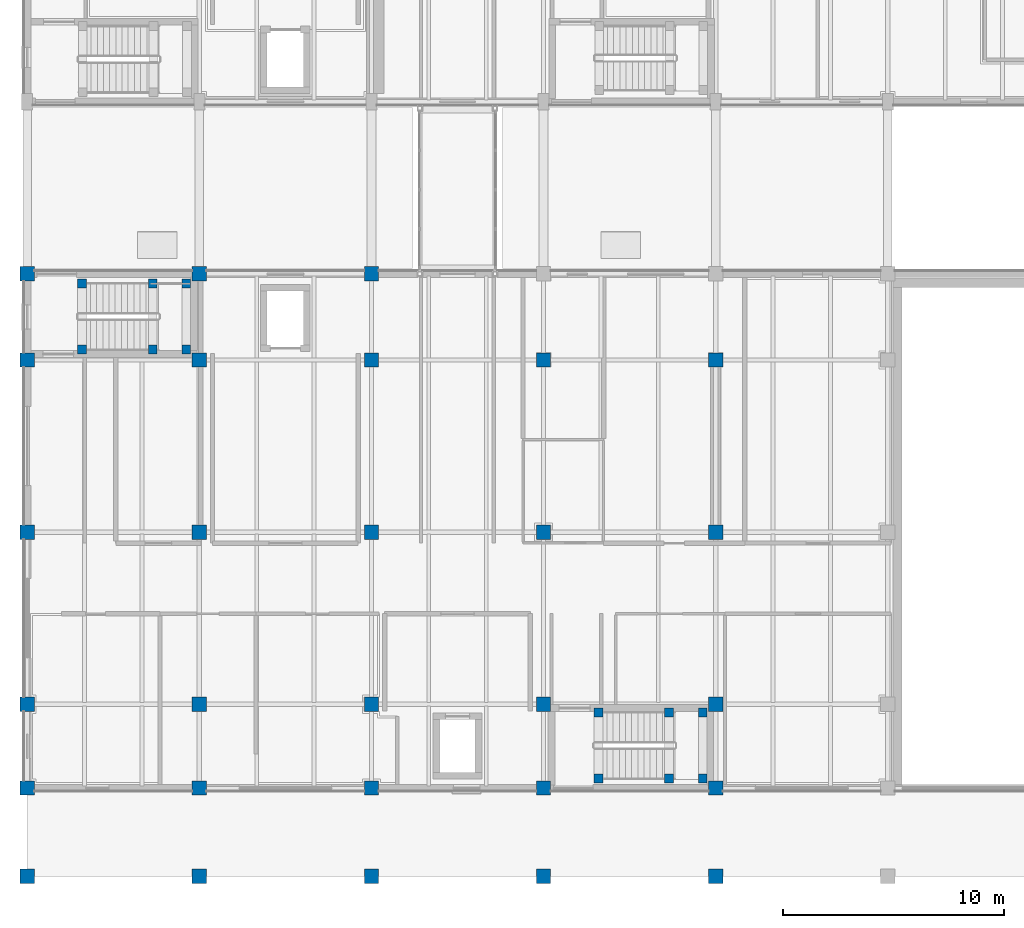
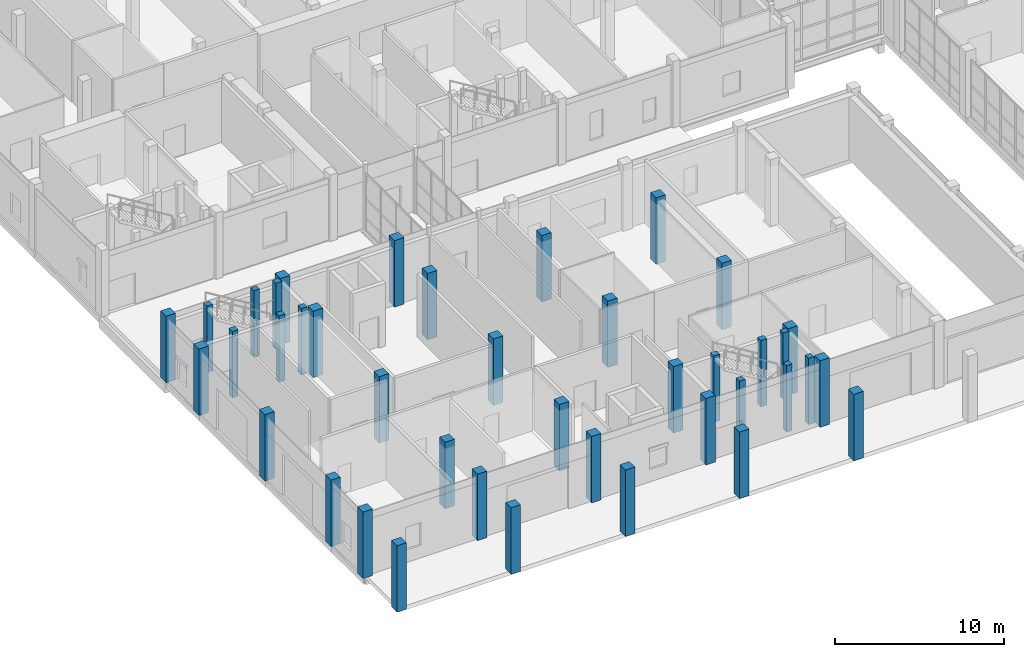
# One storey, part 1 of 131: 40 columns.
"""IFC4 building model written with IfcOpenShell, lengths in metres."""

from ifc_helpers import new_model, si_unit, direction, frame, origin, origin_2d, place, context, subcontext, project, spatial, rectangle, extrude, material, material_profile, profile_set, type_object, element, save


model = new_model("IFC4")

# Units and contexts
model_context = context("Model", 3, precision=1e-05, world=origin(), true_north=direction((0.0, 1.0)))
body_context = subcontext(model_context, "Body", "Model", "MODEL_VIEW")
ifc_project = project(units=[si_unit("LENGTHUNIT", "METRE"), si_unit("AREAUNIT", "SQUARE_METRE"), si_unit("VOLUMEUNIT", "CUBIC_METRE"), si_unit("PLANEANGLEUNIT", "RADIAN"), si_unit("MASSUNIT", "GRAM", prefix="KILO")], contexts=[model_context])

# Site, building, storey
site_placement = place(None, origin())
site = spatial("IfcSite", under=ifc_project, at=site_placement, CompositionType="ELEMENT")
building_placement = place(site_placement, origin())
building = spatial("IfcBuilding", under=site, at=building_placement, Name="Celorna Specialist Clinic", CompositionType="ELEMENT")
storey_placement = place(building_placement, origin())
storey = spatial("IfcBuildingStorey", under=building, at=storey_placement, Name="L00", CompositionType="ELEMENT", Elevation=0.0)

# Columns
ifc_material_1 = material(Name="Concrete C40/50", Category="concrete")
ifc_material_profile_1 = material_profile(ifc_material_1, rectangle(XDim=0.64990234375, YDim=0.64990234375, at=origin_2d()), Name="RC 650x650")
ifc_profile_set_1 = profile_set([ifc_material_profile_1], Name="Concrete C40/50")
column_type_1 = type_object("IfcColumnType", Name="CT-03", PredefinedType="COLUMN", material=ifc_profile_set_1)
for number, where, z_axis, x_axis, name in (
    (1, (0.0, 0.0, 0.0), (0.0, 0.0, 1.0), (1.0, 0.0, 0.0), "Ambulance arcade column CT-03 L00 X01/YA"),
    (2, (7.800048828125, 0.0, 0.0), (0.0, 0.0, 1.0), (1.0, 0.0, 0.0), "Ambulance arcade column CT-03 L00 X02/YA"),
    (3, (15.60009765625, 0.0, 0.0), (0.0, 0.0, 1.0), (1.0, 0.0, 0.0), "Ambulance arcade column CT-03 L00 X03/YA"),
    (4, (23.39990234375, 0.0, 0.0), (0.0, 0.0, 1.0), (1.0, 0.0, 0.0), "Ambulance arcade column CT-03 L00 X04/YA"),
    (5, (31.199951171875, 0.0, 0.0), (0.0, 0.0, 1.0), (1.0, 0.0, 0.0), "Ambulance arcade column CT-03 L00 X05/YA"),
    (6, (0.0, 4.0, 0.0), (0.0, 0.0, 1.0), (1.0, 0.0, 0.0), "Column CT-03 L00 X01/YA1"),
    (7, (0.0, 7.800048828125, 0.0), (0.0, 0.0, 1.0), (1.0, 0.0, 0.0), "Column CT-03 L00 X01/YC"),
    (8, (0.0, 15.60009765625, 0.0), (0.0, 0.0, 1.0), (1.0, 0.0, 0.0), "Column CT-03 L00 X01/YD"),
    (9, (0.0, 23.39990234375, 0.0), (0.0, 0.0, 1.0), (1.0, 0.0, 0.0), "Column CT-03 L00 X01/YE"),
    (10, (0.0, 27.300048828125, 0.0), (0.0, 0.0, 1.0), (1.0, 0.0, 0.0), "Column CT-03 L00 X01/YF"),
    (11, (7.800048828125, 4.0, 0.0), (0.0, 0.0, 1.0), (1.0, 0.0, 0.0), "Column CT-03 L00 X02/YA1"),
    (12, (7.800048828125, 7.800048828125, 0.0), (0.0, 0.0, 1.0), (1.0, 0.0, 0.0), "Column CT-03 L00 X02/YC"),
    (13, (7.800048828125, 15.60009765625, 0.0), (0.0, 0.0, 1.0), (1.0, 0.0, 0.0), "Column CT-03 L00 X02/YD"),
    (14, (7.800048828125, 23.39990234375, 0.0), (0.0, 0.0, 1.0), (1.0, 0.0, 0.0), "Column CT-03 L00 X02/YE"),
    (15, (7.800048828125, 27.300048828125, 0.0), (0.0, 0.0, 1.0), (1.0, 0.0, 0.0), "Column CT-03 L00 X02/YF"),
    (16, (15.60009765625, 4.0, 0.0), (0.0, 0.0, 1.0), (1.0, 0.0, 0.0), "Column CT-03 L00 X03/YA1"),
    (17, (15.60009765625, 7.800048828125, 0.0), (0.0, 0.0, 1.0), (1.0, 0.0, 0.0), "Column CT-03 L00 X03/YC"),
    (18, (15.60009765625, 15.60009765625, 0.0), (0.0, 0.0, 1.0), (1.0, 0.0, 0.0), "Column CT-03 L00 X03/YD"),
    (19, (15.60009765625, 23.39990234375, 0.0), (0.0, 0.0, 1.0), (1.0, 0.0, 0.0), "Column CT-03 L00 X03/YE"),
    (20, (15.60009765625, 27.300048828125, 0.0), (0.0, 0.0, 1.0), (1.0, 0.0, 0.0), "Column CT-03 L00 X03/YF"),
    (21, (23.39990234375, 4.0, 0.0), (0.0, 0.0, 1.0), (1.0, 0.0, 0.0), "Column CT-03 L00 X04/YA1"),
    (22, (23.39990234375, 7.800048828125, 0.0), (0.0, 0.0, 1.0), (1.0, 0.0, 0.0), "Column CT-03 L00 X04/YC"),
    (23, (23.39990234375, 15.60009765625, 0.0), (0.0, 0.0, 1.0), (1.0, 0.0, 0.0), "Column CT-03 L00 X04/YD"),
    (24, (23.39990234375, 23.39990234375, 0.0), (0.0, 0.0, 1.0), (1.0, 0.0, 0.0), "Column CT-03 L00 X04/YE"),
    (25, (31.199951171875, 4.0, 0.0), (0.0, 0.0, 1.0), (1.0, 0.0, 0.0), "Column CT-03 L00 X05/YA1"),
    (26, (31.199951171875, 7.800048828125, 0.0), (0.0, 0.0, 1.0), (1.0, 0.0, 0.0), "Column CT-03 L00 X05/YC"),
    (27, (31.199951171875, 15.60009765625, 0.0), (0.0, 0.0, 1.0), (1.0, 0.0, 0.0), "Column CT-03 L00 X05/YD"),
    (28, (31.199951171875, 23.39990234375, 0.0), (0.0, 0.0, 1.0), (1.0, 0.0, 0.0), "Column CT-03 L00 X05/YE"),
):
    element("IfcColumn", number, at=place(storey_placement, frame(where, z_axis=z_axis, x_axis=x_axis)), inside=storey, type_object=column_type_1, Name=name, PredefinedType="COLUMN", context=body_context, shape_type="SweptSolid", body=[
        extrude(rectangle(XDim=0.64990234375, YDim=0.64990234375, at=origin_2d()), origin(), (0.0, 0.0, 1.0), 4.800048828125),
    ])
ifc_material_2 = material(Name="Concrete C35/45", Category="concrete")
ifc_material_profile_2 = material_profile(ifc_material_2, rectangle(XDim=0.39990234375, YDim=0.39990234375, at=origin_2d()), Name="RC 400x400")
ifc_profile_set_2 = profile_set([ifc_material_profile_2], Name="Concrete C35/45")
column_type_2 = type_object("IfcColumnType", Name="CT-08", PredefinedType="COLUMN", material=ifc_profile_set_2)
for number, where, z_axis, x_axis, name in (
    (29, (2.489990234375, 23.8701171875, 0.0), (0.0, 0.0, 1.0), (1.0, 0.0, 0.0), "Stair ST-04 landing column CT-08 L00 X01/YF"),
    (30, (2.489990234375, 26.8701171875, 0.0), (0.0, 0.0, 1.0), (1.0, 0.0, 0.0), "Stair ST-04 landing column CT-08 L00 X01/YF"),
    (31, (5.68994140625, 23.8701171875, 0.0), (0.0, 0.0, 1.0), (1.0, 0.0, 0.0), "Stair ST-04 landing column CT-08 L00 X02/YF"),
    (32, (5.68994140625, 26.8701171875, 0.0), (0.0, 0.0, 1.0), (1.0, 0.0, 0.0), "Stair ST-04 landing column CT-08 L00 X02/YF"),
    (33, (7.2099609375, 23.8701171875, 0.0), (0.0, 0.0, 1.0), (1.0, 0.0, 0.0), "Stair ST-04 landing column CT-08 L00 X02/YF"),
    (34, (7.2099609375, 26.8701171875, 0.0), (0.0, 0.0, 1.0), (1.0, 0.0, 0.0), "Stair ST-04 landing column CT-08 L00 X02/YF"),
    (35, (25.889892578125, 4.429931640625, 0.0), (0.0, 0.0, 1.0), (1.0, 0.0, 0.0), "Stair ST-05 landing column CT-08 L00 X04/YA1"),
    (36, (25.889892578125, 7.429931640625, 0.0), (0.0, 0.0, 1.0), (1.0, 0.0, 0.0), "Stair ST-05 landing column CT-08 L00 X04/YC"),
    (37, (29.090087890625, 4.429931640625, 0.0), (0.0, 0.0, 1.0), (1.0, 0.0, 0.0), "Stair ST-05 landing column CT-08 L00 X05/YA1"),
    (38, (29.090087890625, 7.429931640625, 0.0), (0.0, 0.0, 1.0), (1.0, 0.0, 0.0), "Stair ST-05 landing column CT-08 L00 X05/YC"),
    (39, (30.610107421875, 4.429931640625, 0.0), (0.0, 0.0, 1.0), (1.0, 0.0, 0.0), "Stair ST-05 landing column CT-08 L00 X05/YA1"),
    (40, (30.610107421875, 7.429931640625, 0.0), (0.0, 0.0, 1.0), (1.0, 0.0, 0.0), "Stair ST-05 landing column CT-08 L00 X05/YC"),
):
    element("IfcColumn", number, at=place(storey_placement, frame(where, z_axis=z_axis, x_axis=x_axis)), inside=storey, type_object=column_type_2, Name=name, PredefinedType="COLUMN", context=body_context, shape_type="SweptSolid", body=[
        extrude(rectangle(XDim=0.39990234375, YDim=0.39990234375, at=origin_2d()), origin(), (0.0, 0.0, 1.0), 4.800048828125),
    ])

save(model, "model.ifc")
